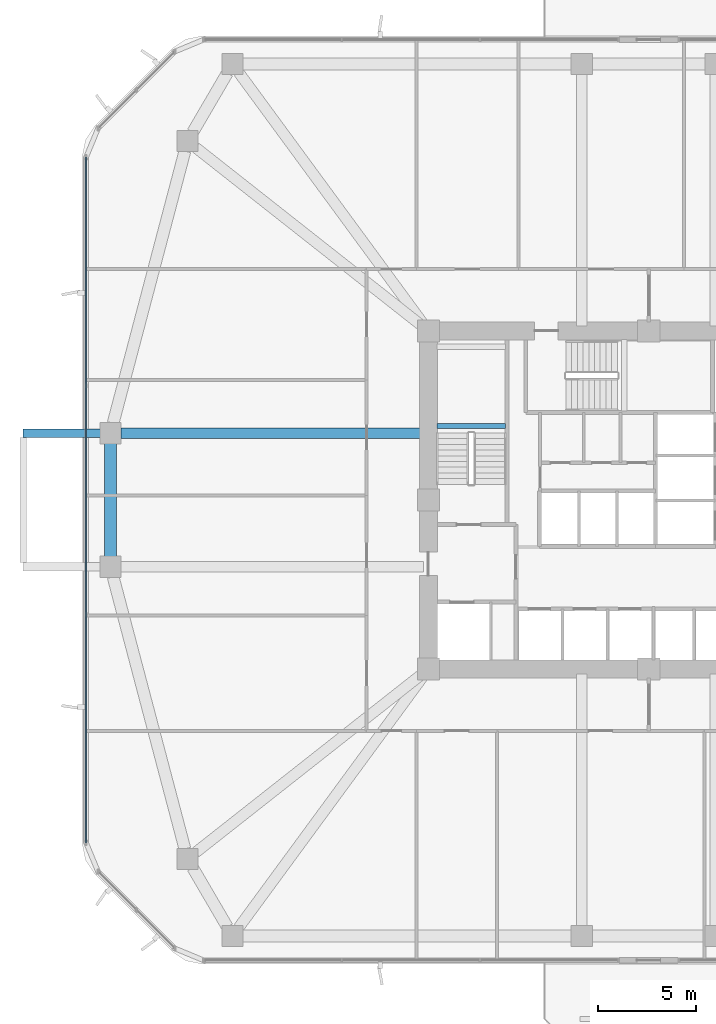
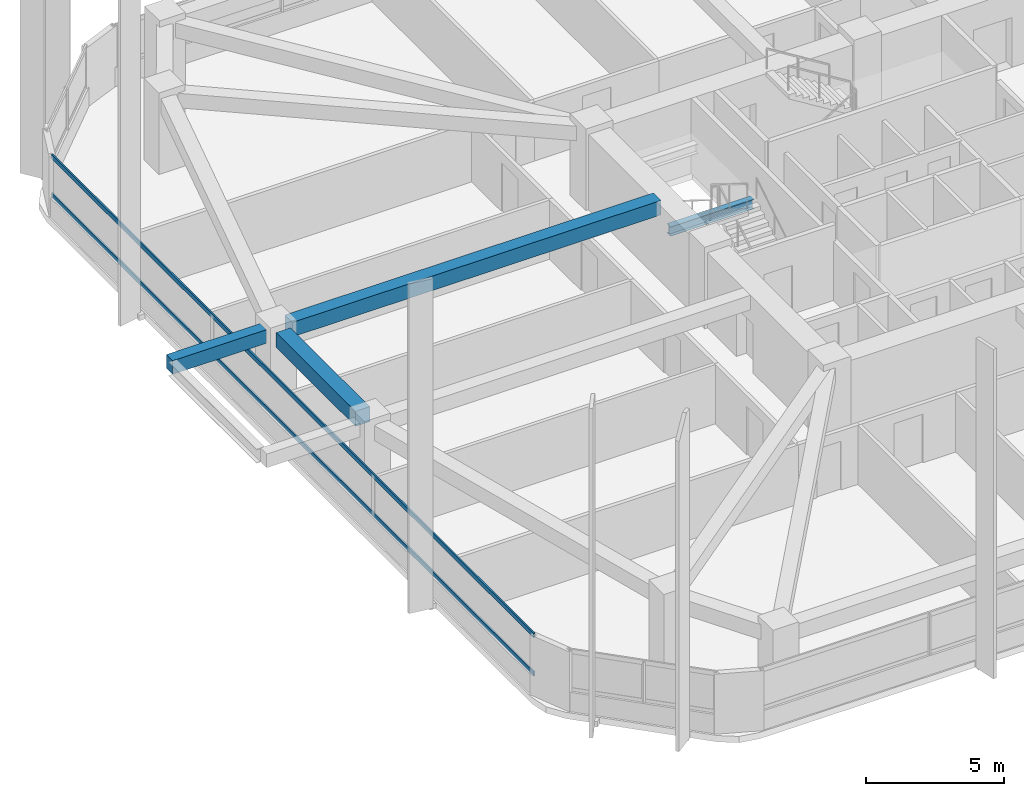
# One storey, part 3 of 17: 4 beams, 2 members, 1 element without a shape of its own.
"""IFC4 building model written with IfcOpenShell, lengths in metres."""

import ifcopenshell
import ifcopenshell.guid

model = None  # the IFC model being written
_history = None  # IfcOwnerHistory: only IFC2X3 demands one
_inside = {}  # id of a spatial element -> (the spatial element, [elements in it])
_under = {}  # id of a project, library or spatial element -> (it, [spatial elements below it])
_declared = {}  # id of a project -> (the project, [libraries it declares])
_typed = {}  # id of a type object -> (the type object, [elements of that type])
_made_of = {}  # id of a material, layer set ... -> (it, [elements and type objects made of it])


def new_model(schema):
    """Start an empty IFC model of exactly this schema.

    Asked for "IFC4X3", IfcOpenShell would pick the latest addendum, in which some entities
    have other attributes; the version numbers below select the first issue.
    IFC2X3 requires an IfcOwnerHistory on every rooted entity: one is made here for all.
    """
    global model, _history
    if schema == "IFC4X3":
        model = ifcopenshell.file(schema_version=(4, 3, 0, 0))
    else:
        model = ifcopenshell.file(schema=schema)
    _inside.clear()
    _under.clear()
    _declared.clear()
    _typed.clear()
    _made_of.clear()
    _history = None
    if model.schema == "IFC2X3":
        org = make("IfcOrganization", Name="unknown")
        user = make(
            "IfcPersonAndOrganization",
            ThePerson=make("IfcPerson", FamilyName="unknown"),
            TheOrganization=org,
        )
        app = make(
            "IfcApplication",
            ApplicationDeveloper=org,
            Version="unknown",
            ApplicationFullName="unknown",
            ApplicationIdentifier="unknown",
        )
        _history = make(
            "IfcOwnerHistory",
            OwningUser=user,
            OwningApplication=app,
            ChangeAction="ADDED",
            CreationDate=0,
        )
    return model


def make(cls, **values):
    """One entity of the class cls with the attributes given. An attribute that is None is left unset."""
    return model.create_entity(
        cls, **{name: value for name, value in values.items() if value is not None}
    )


def rooted(cls, **values):
    """An entity with a GlobalId (a new one), such as an element, a storey or a relation."""
    return make(cls, GlobalId=ifcopenshell.guid.new(), OwnerHistory=_history, **values)


def si_unit(unit_type, name, prefix=None):
    """IfcSIUnit, for example si_unit("LENGTHUNIT", "METRE", prefix="MILLI")."""
    return make("IfcSIUnit", UnitType=unit_type, Prefix=prefix, Name=name)


def derived_unit(unit_type, elements):
    """IfcDerivedUnit: a product of units, each with its exponent."""
    return make(
        "IfcDerivedUnit",
        Elements=[
            make("IfcDerivedUnitElement", Unit=unit, Exponent=power)
            for unit, power in elements
        ],
        UnitType=unit_type,
    )


def assignment(units):
    """IfcUnitAssignment: the units of a project."""
    return None if units is None else make("IfcUnitAssignment", Units=units)


def point(xyz):
    """IfcCartesianPoint."""
    return None if xyz is None else make("IfcCartesianPoint", Coordinates=xyz)


def direction(xyz):
    """IfcDirection."""
    return None if xyz is None else make("IfcDirection", DirectionRatios=xyz)


def frame(location, z_axis=None, x_axis=None):
    """IfcAxis2Placement3D, a coordinate frame: its origin and axes. An axis left out is left unset."""
    return make(
        "IfcAxis2Placement3D",
        Location=point(location),
        Axis=direction(z_axis),
        RefDirection=direction(x_axis),
    )


def frame_2d(location, x_axis=None):
    """IfcAxis2Placement2D, a coordinate frame in the plane: its origin and x axis."""
    return make(
        "IfcAxis2Placement2D", Location=point(location), RefDirection=direction(x_axis)
    )


def origin():
    """The frame at (0, 0, 0) with its axes left unset."""
    return frame((0.0, 0.0, 0.0))


def origin_2d():
    """The frame at (0, 0) in the plane with its x axis left unset."""
    return frame_2d((0.0, 0.0))


def place(relative_to, where):
    """IfcLocalPlacement: puts the frame where relative to a parent placement (None: the world)."""
    return make(
        "IfcLocalPlacement", PlacementRelTo=relative_to, RelativePlacement=where
    )


def context(
    kind, dimensions, precision=None, world=None, true_north=None, identifier=None
):
    """IfcGeometricRepresentationContext, for example the 3D "Model" context."""
    return make(
        "IfcGeometricRepresentationContext",
        ContextIdentifier=identifier,
        ContextType=kind,
        CoordinateSpaceDimension=dimensions,
        Precision=precision,
        WorldCoordinateSystem=world,
        TrueNorth=true_north,
    )


def subcontext(parent, identifier, kind, view, scale=None):
    """IfcGeometricRepresentationSubContext, for example "Body" below "Model"."""
    return make(
        "IfcGeometricRepresentationSubContext",
        ContextIdentifier=identifier,
        ContextType=kind,
        ParentContext=parent,
        TargetScale=scale,
        TargetView=view,
    )


def project(units=None, contexts=None):
    """IfcProject with its units and contexts."""
    return rooted(
        "IfcProject",
        Name="project",
        RepresentationContexts=contexts,
        UnitsInContext=assignment(units),
    )


def spatial(cls, under=None, at=None, **own):
    """A site, building, storey or space (cls), placed at a placement, below another one or the project."""
    s = rooted(cls, ObjectPlacement=at, **own)
    if under is not None:
        _under.setdefault(under.id(), (under, []))[1].append(s)
    return s


def profile(cls, at=None, kind="AREA", **sizes):
    """A parametric profile (cls). Its sizes go by their IFC names, for example OverallWidth=200.0."""
    return make(cls, ProfileType=kind, Position=at, **sizes)


def rectangle(**sizes):
    """IfcRectangleProfileDef."""
    return profile("IfcRectangleProfileDef", **sizes)


def i_section(**sizes):
    """IfcIShapeProfileDef."""
    return profile("IfcIShapeProfileDef", **sizes)


def extrude(swept, where, along, depth):
    """IfcExtrudedAreaSolid: the profile swept, set in the frame where, extruded along a direction by depth."""
    return make(
        "IfcExtrudedAreaSolid",
        SweptArea=swept,
        Position=where,
        ExtrudedDirection=direction(along),
        Depth=depth,
    )


def shape(context_of_items, identifier, shape_type, items):
    """IfcShapeRepresentation: the items that make up one representation, for example the "Body"."""
    return make(
        "IfcShapeRepresentation",
        ContextOfItems=context_of_items,
        RepresentationIdentifier=identifier,
        RepresentationType=shape_type,
        Items=items,
    )


def material(Name=None, Category=None):
    """IfcMaterial."""
    return make("IfcMaterial", Name=Name, Category=Category)


def material_profile(
    of_material, cross_section, Name=None, Category=None, Priority=None
):
    """IfcMaterialProfile: a cross section and its material."""
    return make(
        "IfcMaterialProfile",
        Name=Name,
        Material=of_material,
        Profile=cross_section,
        Priority=Priority,
        Category=Category,
    )


def profile_set(profiles, Name=None, composite=None):
    """IfcMaterialProfileSet."""
    return make(
        "IfcMaterialProfileSet",
        Name=Name,
        MaterialProfiles=profiles,
        CompositeProfile=composite,
    )


def made_of(thing, what):
    """Note that an element or type object is made of a material, layer set ...; save() writes the relation."""
    if what is not None:
        _made_of.setdefault(what.id(), (what, []))[1].append(thing)
    return thing


def type_object(cls, material=None, **own):
    """A type object (cls), such as IfcWallType, which elements share."""
    return made_of(rooted(cls, **own), material)


def element(
    cls,
    number,
    at=None,
    inside=None,
    cuts=None,
    type_object=None,
    material=None,
    context=None,
    identifier="Body",
    shape_type=None,
    held_by="IfcProductDefinitionShape",
    body=None,
    shapes=None,
    **own,
):
    """One element of the class cls, such as IfcWall. Its Tag is "e" and its number.

    at: its placement. inside: the storey or other place that contains it. cuts: it is an
    opening in that element (IfcRelVoidsElement). A single representation is given by context,
    identifier, shape_type and body (its items); several are given by shapes. held_by: the class
    of the entity that holds the representations. save() writes the other relations.
    """
    e = rooted(cls, Tag="e%d" % number, ObjectPlacement=at, **own)
    if body is not None:
        shapes = [shape(context, identifier, shape_type, body)]
    if shapes is not None:
        e.Representation = make(held_by, Representations=shapes)
    if inside is not None:
        _inside.setdefault(inside.id(), (inside, []))[1].append(e)
    if cuts is not None:
        rooted(
            "IfcRelVoidsElement", RelatingBuildingElement=cuts, RelatedOpeningElement=e
        )
    if type_object is not None:
        _typed.setdefault(type_object.id(), (type_object, []))[1].append(e)
    return made_of(e, material)


def aggregate(whole, parts):
    """IfcRelAggregates: a whole, such as a stair, and the parts it consists of."""
    return rooted("IfcRelAggregates", RelatingObject=whole, RelatedObjects=parts)


def save(model, path):
    """Write the relations noted so far, then the file.

    IfcRelAggregates (storeys below a building ...), IfcRelContainedInSpatialStructure (elements
    in a storey), IfcRelDefinesByType, IfcRelAssociatesMaterial and IfcRelDeclares: one each for
    every whole, place, type object, material and project.
    """
    for whole, parts in _under.values():
        aggregate(whole, parts)
    for where, things in _inside.values():
        rooted(
            "IfcRelContainedInSpatialStructure",
            RelatedElements=things,
            RelatingStructure=where,
        )
    for kind, things in _typed.values():
        rooted("IfcRelDefinesByType", RelatedObjects=things, RelatingType=kind)
    for what, things in _made_of.values():
        rooted("IfcRelAssociatesMaterial", RelatedObjects=things, RelatingMaterial=what)
    for by, libraries in _declared.values():
        rooted("IfcRelDeclares", RelatingContext=by, RelatedDefinitions=libraries)
    model.write(path)


model = new_model("IFC4")

# Units and contexts
model_context = context("Model", 3, precision=1e-05, world=origin(), true_north=direction((0.0, 1.0)))
body_context = subcontext(model_context, "Body", "Model", "MODEL_VIEW")
ifc_project = project(units=[si_unit("LENGTHUNIT", "METRE"), si_unit("AREAUNIT", "SQUARE_METRE"), si_unit("VOLUMEUNIT", "CUBIC_METRE"), si_unit("PLANEANGLEUNIT", "RADIAN"), si_unit("MASSUNIT", "GRAM", prefix="KILO"), derived_unit("THERMALTRANSMITTANCEUNIT", [(si_unit("POWERUNIT", "WATT"), 1), (si_unit("LENGTHUNIT", "METRE"), -2), (si_unit("THERMODYNAMICTEMPERATUREUNIT", "KELVIN"), -1)])], contexts=[model_context])

# Site, building, storey
site_placement = place(None, origin())
site = spatial("IfcSite", under=ifc_project, at=site_placement, CompositionType="ELEMENT")
building_placement = place(site_placement, origin())
building = spatial("IfcBuilding", under=site, at=building_placement, Name="Koralith Skygarden Medical Center", CompositionType="ELEMENT")
storey_placement = place(building_placement, frame((0.0, 0.0, 52.739990234375)))
storey = spatial("IfcBuildingStorey", under=building, at=storey_placement, Name="L13", CompositionType="ELEMENT", Elevation=52.739990234375)

# Curtain wall, members
ifc_material_1 = material(Name="Clear Laminated Glass", Category="glass")
curtain_wall_type = type_object("IfcCurtainWallType", Name="CW-2 Zone 1 Hurricane Unitised Curtain Wall", PredefinedType="NOTDEFINED", material=ifc_material_1)
curtain_wall_placement = place(storey_placement, origin())
curtain_wall = element("IfcCurtainWall", 1, at=curtain_wall_placement, inside=storey, type_object=curtain_wall_type, Name="Curtain Wall CW-L13-W", PredefinedType="NOTDEFINED")
ifc_material_2 = material(Name="Aluminium 6063-T6", Category="aluminium")
ifc_material_profile_1 = material_profile(ifc_material_2, rectangle(XDim=0.06591796875, YDim=0.197998046875, at=origin_2d()), Name="TRN66X198")
ifc_profile_set_1 = profile_set([ifc_material_profile_1], Name="Aluminium 6063-T6")
member_type = type_object("IfcMemberType", Name="CW-2 Thermal Transom 66x198", PredefinedType="USERDEFINED", material=ifc_profile_set_1)
member_1_placement = place(storey_placement, frame((8.3798828125, 43.344970703125, 0.89990234375), z_axis=(0.0, -1.0, 0.0), x_axis=(1.0, 0.0, 0.0)))
member_1 = element("IfcMember", 2, at=member_1_placement, type_object=member_type, Name="CW-L13-W Transom 1", ObjectType="TRANSOM", PredefinedType="USERDEFINED", context=body_context, shape_type="SweptSolid", body=[
    extrude(rectangle(XDim=0.06591796875, YDim=0.197998046875, at=origin_2d()), origin(), (0.0, 0.0, 1.0), 34.889892578125),
])
member_2_placement = place(storey_placement, frame((8.3798828125, 43.344970703125, 2.60009765625), z_axis=(0.0, -1.0, 0.0), x_axis=(1.0, 0.0, 0.0)))
member_2 = element("IfcMember", 3, at=member_2_placement, type_object=member_type, Name="CW-L13-W Transom 2", ObjectType="TRANSOM", PredefinedType="USERDEFINED", context=body_context, shape_type="SweptSolid", body=[
    extrude(rectangle(XDim=0.06591796875, YDim=0.197998046875, at=origin_2d()), origin(), (0.0, 0.0, 1.0), 34.889892578125),
])
aggregate(curtain_wall, [member_1, member_2])

# Beams
ifc_material_3 = material(Name="Steel ASTM A992 Grade 50", Category="steel")
ifc_material_profile_2 = material_profile(ifc_material_3, i_section(OverallWidth=0.260009765625, OverallDepth=0.4150390625, WebThickness=0.010009765625, FlangeThickness=0.016845703125, at=origin_2d()), Name="W16X67")
ifc_profile_set_2 = profile_set([ifc_material_profile_2], Name="Steel ASTM A992 Grade 50")
beam_type_1 = type_object("IfcBeamType", Name="Clinical Floor Joist W16X67", PredefinedType="JOIST", material=ifc_profile_set_2)
beam_1_placement = place(storey_placement, frame((26.22998046875, 29.659912109375, 1.39208984375), z_axis=(1.0, 0.0, 0.0), x_axis=(0.0, 1.0, 0.0)))
element("IfcBeam", 4, at=beam_1_placement, inside=storey, type_object=beam_type_1, Name="L13 Stair ST1 Half-Landing Support Beam 1A", PredefinedType="JOIST", context=body_context, shape_type="SweptSolid", body=[
    extrude(i_section(OverallWidth=0.260009765625, OverallDepth=0.4150390625, WebThickness=0.010009765625, FlangeThickness=0.016845703125, at=origin_2d()), origin(), (0.0, 0.0, 1.0), 3.489990234375),
])
ifc_material_4 = material(Name="Concrete C45/55", Category="concrete")
ifc_material_profile_3 = material_profile(ifc_material_4, rectangle(XDim=0.449951171875, YDim=0.60009765625, at=origin_2d()), Name="RCB450X600")
ifc_profile_set_3 = profile_set([ifc_material_profile_3], Name="Concrete C45/55")
beam_type_2 = type_object("IfcBeamType", Name="Planted Balcony Cantilever Beam RCB450X600", PredefinedType="BEAM", material=ifc_profile_set_3)
beam_2_placement = place(storey_placement, frame((9.10009765625, 29.300048828125, 3.0400390625), z_axis=(-1.0, 0.0, 0.0), x_axis=(0.0, -1.0, 0.0)))
element("IfcBeam", 5, at=beam_2_placement, inside=storey, type_object=beam_type_2, Name="L14 W Balcony Cantilever Beam B", PredefinedType="BEAM", context=body_context, shape_type="SweptSolid", body=[
    extrude(rectangle(XDim=0.449951171875, YDim=0.60009765625, at=origin_2d()), origin(), (0.0, 0.0, 1.0), 3.920166015625),
])
ifc_material_profile_4 = material_profile(ifc_material_4, rectangle(XDim=0.550048828125, YDim=0.639892578125, at=origin_2d()), Name="RCB550X640")
ifc_profile_set_4 = profile_set([ifc_material_profile_4], Name="Concrete C45/55")
beam_type_3 = type_object("IfcBeamType", Name="Radial Collector Beam RCB550X640", PredefinedType="BEAM", material=ifc_profile_set_4)
beam_3_placement = place(storey_placement, frame((25.550048828125, 29.300048828125, 3.0), z_axis=(-1.0, 0.0, 0.0), x_axis=(0.0, -1.0, 0.0)))
element("IfcBeam", 6, at=beam_3_placement, inside=storey, type_object=beam_type_3, Name="L13 Radial Collector Beam RB-16", PredefinedType="BEAM", context=body_context, shape_type="SweptSolid", body=[
    extrude(rectangle(XDim=0.550048828125, YDim=0.639892578125, at=origin_2d()), origin(), (0.0, 0.0, 1.0), 15.400146484375),
])
ifc_material_profile_5 = material_profile(ifc_material_4, rectangle(XDim=0.60009765625, YDim=0.659912109375, at=origin_2d()), Name="RCB600X660")
ifc_profile_set_5 = profile_set([ifc_material_profile_5], Name="Concrete C45/55")
beam_type_4 = type_object("IfcBeamType", Name="Zone 1 Spandrel Beam RCB600X660", PredefinedType="SPANDREL", material=ifc_profile_set_5)
beam_4_placement = place(storey_placement, frame((9.6201171875, 28.77001953125, 2.989990234375), z_axis=(0.0, -1.0, 0.0), x_axis=(1.0, 0.0, 0.0)))
element("IfcBeam", 7, at=beam_4_placement, inside=storey, type_object=beam_type_4, Name="L13 Perimeter Spandrel Beam SP-16", PredefinedType="SPANDREL", context=body_context, shape_type="SweptSolid", body=[
    extrude(rectangle(XDim=0.60009765625, YDim=0.659912109375, at=origin_2d()), origin(), (0.0, 0.0, 1.0), 5.739990234375),
])

save(model, "model.ifc")
